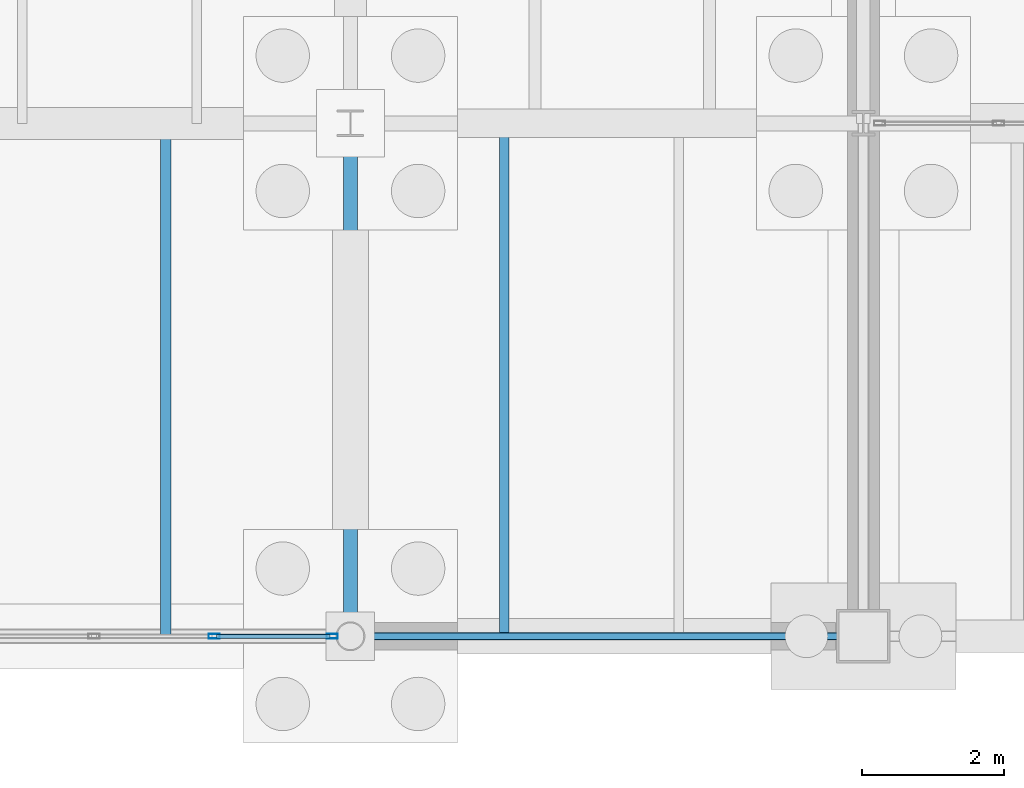
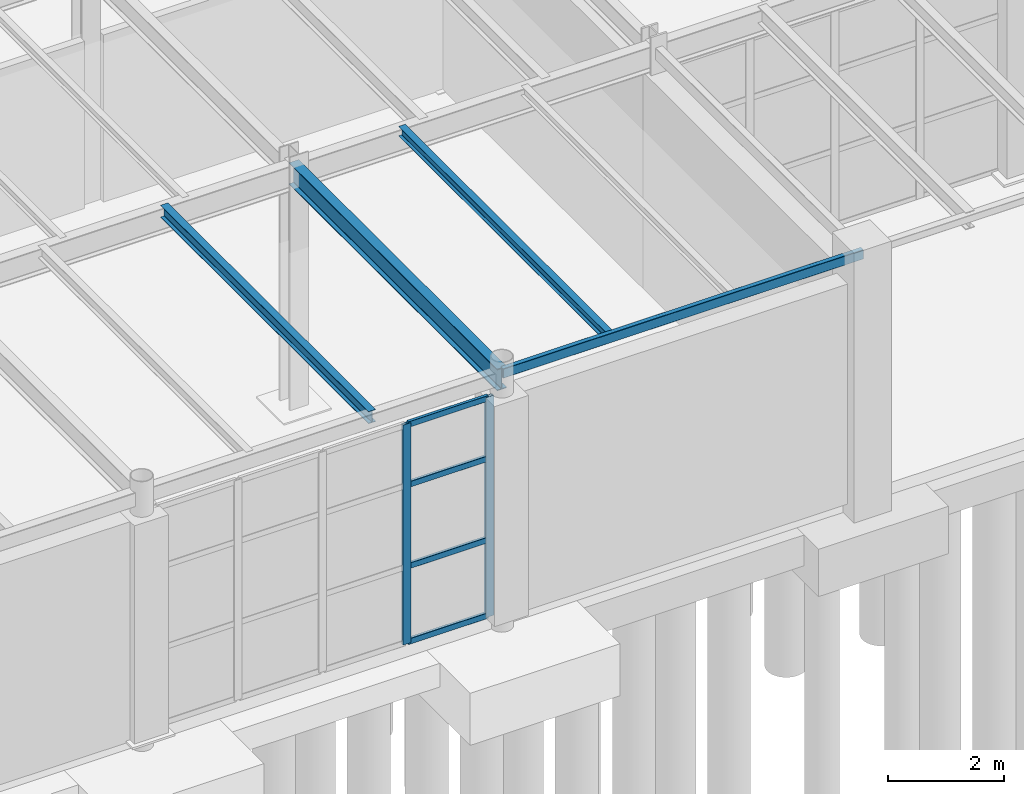
# One storey, part 53 of 293: 6 members, 4 beams, 1 element without a shape of its own.
"""IFC4 building model written with IfcOpenShell, lengths in metres."""

from ifc_helpers import new_model, si_unit, direction, frame, origin, origin_2d, place, context, subcontext, project, spatial, hollow_rectangle, i_section, extrude, material, layer, layer_set, material_profile, profile_set, type_object, element, aggregate, save


model = new_model("IFC4")

# Units and contexts
model_context = context("Model", 3, precision=1e-05, world=origin(), true_north=direction((0.0, 1.0)))
body_context = subcontext(model_context, "Body", "Model", "MODEL_VIEW")
ifc_project = project(units=[si_unit("LENGTHUNIT", "METRE"), si_unit("AREAUNIT", "SQUARE_METRE"), si_unit("VOLUMEUNIT", "CUBIC_METRE"), si_unit("PLANEANGLEUNIT", "RADIAN"), si_unit("MASSUNIT", "GRAM", prefix="KILO")], contexts=[model_context])

# Site, building, storey
site_placement = place(None, origin())
site = spatial("IfcSite", under=ifc_project, at=site_placement, CompositionType="ELEMENT")
building_placement = place(site_placement, origin())
building = spatial("IfcBuilding", under=site, at=building_placement, Name="Kemerveld Promenade Tramway Depot", CompositionType="ELEMENT")
storey_placement = place(building_placement, origin())
storey = spatial("IfcBuildingStorey", under=building, at=storey_placement, Name="L00", CompositionType="ELEMENT", Elevation=0.0)

# Beams
ifc_material_1 = material(Name="Steel S355", Category="steel")
ifc_material_profile_1 = material_profile(ifc_material_1, i_section(OverallWidth=0.19140625, OverallDepth=0.4599609375, WebThickness=0.010009765625, FlangeThickness=0.01611328125, FilletRadius=0.01025390625, at=origin_2d()), Name="457x191x82 UB")
ifc_profile_set_1 = profile_set([ifc_material_profile_1], Name="Steel S355")
beam_type_1 = type_object("IfcBeamType", Name="BM-G06", PredefinedType="BEAM", material=ifc_profile_set_1)
beam_1_placement = place(storey_placement, frame((50.39990234375, 0.0, 4.919921875), z_axis=(0.0, 1.0, 0.0), x_axis=(-1.0, 0.0, 0.0)))
element("IfcBeam", 1, at=beam_1_placement, inside=storey, type_object=beam_type_1, Name="BMY-L00-08-A-B", PredefinedType="BEAM", context=body_context, shape_type="SweptSolid", body=[
    extrude(i_section(OverallWidth=0.19140625, OverallDepth=0.4599609375, WebThickness=0.010009765625, FlangeThickness=0.01611328125, FilletRadius=0.01025390625, at=origin_2d()), origin(), (0.0, 0.0, 1.0), 7.199951171875),
])
ifc_material_profile_2 = material_profile(ifc_material_1, i_section(OverallWidth=0.146484375, OverallDepth=0.256103515625, WebThickness=0.00634765625, FlangeThickness=0.010986328125, FilletRadius=0.007568359375, at=origin_2d()), Name="254x146x37 UB")
ifc_profile_set_2 = profile_set([ifc_material_profile_2], Name="Steel S355")
beam_type_2 = type_object("IfcBeamType", Name="BM-J02", PredefinedType="JOIST", material=ifc_profile_set_2)
beam_2_placement = place(storey_placement, frame((47.80810546875, 0.0, 5.02197265625), z_axis=(0.0, 1.0, 0.0), x_axis=(-1.0, 0.0, 0.0)))
element("IfcBeam", 2, at=beam_2_placement, inside=storey, type_object=beam_type_2, Name="JST-L00-07-A-2", PredefinedType="JOIST", context=body_context, shape_type="SweptSolid", body=[
    extrude(i_section(OverallWidth=0.146484375, OverallDepth=0.256103515625, WebThickness=0.00634765625, FlangeThickness=0.010986328125, FilletRadius=0.007568359375, at=origin_2d()), origin(), (0.0, 0.0, 1.0), 7.199951171875),
])
ifc_material_profile_3 = material_profile(ifc_material_1, i_section(OverallWidth=0.13330078125, OverallDepth=0.203125, WebThickness=0.005615234375, FlangeThickness=0.0078125, FilletRadius=0.007568359375, at=origin_2d()), Name="203x133x25 UB")
ifc_profile_set_3 = profile_set([ifc_material_profile_3], Name="Steel S355")
beam_type_3 = type_object("IfcBeamType", Name="BM-J03", PredefinedType="JOIST", material=ifc_profile_set_3)
beam_3_placement = place(storey_placement, frame((52.56005859375, 0.0, 5.04833984375), z_axis=(0.0, 1.0, 0.0), x_axis=(-1.0, 0.0, 0.0)))
element("IfcBeam", 3, at=beam_3_placement, inside=storey, type_object=beam_type_3, Name="JST-L00-08-A-1", PredefinedType="JOIST", context=body_context, shape_type="SweptSolid", body=[
    extrude(i_section(OverallWidth=0.13330078125, OverallDepth=0.203125, WebThickness=0.005615234375, FlangeThickness=0.0078125, FilletRadius=0.007568359375, at=origin_2d()), origin(), (0.0, 0.0, 1.0), 7.199951171875),
])
ifc_material_profile_4 = material_profile(ifc_material_1, hollow_rectangle(XDim=0.10009765625, YDim=0.199951171875, WallThickness=0.008056640625, InnerFilletRadius=0.00390625, OuterFilletRadius=0.011962890625, at=origin_2d()), Name="200x100x8.0 RHS")
ifc_profile_set_4 = profile_set([ifc_material_profile_4], Name="Steel S355")
beam_type_4 = type_object("IfcBeamType", Name="BM-SP3", PredefinedType="SPANDREL", material=ifc_profile_set_4)
beam_4_placement = place(storey_placement, frame((50.39990234375, 0.0, 5.050048828125), z_axis=(1.0, 0.0, 0.0), x_axis=(0.0, 1.0, 0.0)))
element("IfcBeam", 4, at=beam_4_placement, inside=storey, type_object=beam_type_4, Name="BMX-L00-08-09-A", PredefinedType="SPANDREL", context=body_context, shape_type="SweptSolid", body=[
    extrude(hollow_rectangle(XDim=0.10009765625, YDim=0.199951171875, WallThickness=0.008056640625, InnerFilletRadius=0.00390625, OuterFilletRadius=0.011962890625, at=origin_2d()), origin(), (0.0, 0.0, 1.0), 7.2001953125),
])

# Curtain wall, members
ifc_material_2 = material(Name="Bronze anodised aluminium and solar glass", Category="aluminium")
ifc_layer = layer(ifc_material_2, 0.159912109375)
ifc_layer_set = layer_set([ifc_layer], Name="CW-SYS-05")
curtain_wall_type = type_object("IfcCurtainWallType", Name="CW-SYS-05", PredefinedType="USERDEFINED", material=ifc_layer_set)
curtain_wall_placement = place(storey_placement, origin())
curtain_wall = element("IfcCurtainWall", 5, at=curtain_wall_placement, inside=storey, type_object=curtain_wall_type, Name="CW-L00-V5S-02", ObjectType="GLAZED_CURTAIN_WALL", PredefinedType="USERDEFINED")
ifc_material_3 = material(Name="Bronze anodised aluminium", Category="aluminium")
ifc_material_profile_5 = material_profile(ifc_material_3, hollow_rectangle(XDim=0.06494140625, YDim=0.159912109375, WallThickness=0.00390625, InnerFilletRadius=0.001953125, OuterFilletRadius=0.00390625, at=origin_2d()), Name="CW-MUL-160x65")
ifc_profile_set_5 = profile_set([ifc_material_profile_5], Name="Bronze anodised aluminium")
member_type_1 = type_object("IfcMemberType", Name="CW-MUL-A", PredefinedType="MULLION", material=ifc_profile_set_5)
member_1_placement = place(storey_placement, frame((50.144287109375, 0.0, 0.0), z_axis=(0.0, 0.0, 1.0), x_axis=(0.0, -1.0, 0.0)))
member_1 = element("IfcMember", 6, at=member_1_placement, type_object=member_type_1, Name="CW05 mullion 1", PredefinedType="MULLION", context=body_context, shape_type="SweptSolid", body=[
    extrude(hollow_rectangle(XDim=0.06494140625, YDim=0.159912109375, WallThickness=0.00390625, InnerFilletRadius=0.001953125, OuterFilletRadius=0.00390625, at=origin_2d()), origin(), (0.0, 0.0, 1.0), 4.64990234375),
])
member_2_placement = place(storey_placement, frame((48.48828125, 0.0, 0.0), z_axis=(0.0, 0.0, 1.0), x_axis=(0.0, -1.0, 0.0)))
member_2 = element("IfcMember", 7, at=member_2_placement, type_object=member_type_1, Name="CW05 mullion 2", PredefinedType="MULLION", context=body_context, shape_type="SweptSolid", body=[
    extrude(hollow_rectangle(XDim=0.06494140625, YDim=0.159912109375, WallThickness=0.00390625, InnerFilletRadius=0.001953125, OuterFilletRadius=0.00390625, at=origin_2d()), origin(), (0.0, 0.0, 1.0), 4.64990234375),
])
ifc_material_profile_6 = material_profile(ifc_material_3, hollow_rectangle(XDim=0.06005859375, YDim=0.1201171875, WallThickness=0.00390625, InnerFilletRadius=0.001953125, OuterFilletRadius=0.00390625, at=origin_2d()), Name="CW-TRN-120x60")
ifc_profile_set_6 = profile_set([ifc_material_profile_6], Name="Bronze anodised aluminium")
member_type_2 = type_object("IfcMemberType", Name="CW-TRN-A", PredefinedType="USERDEFINED", material=ifc_profile_set_6)
member_3_placement = place(storey_placement, frame((50.11181640625, 0.0, 0.030029296875), z_axis=(-1.0, 0.0, 0.0), x_axis=(0.0, -1.0, 0.0)))
member_3 = element("IfcMember", 8, at=member_3_placement, type_object=member_type_2, Name="CW05 transom 1.1", ObjectType="TRANSOM", PredefinedType="USERDEFINED", context=body_context, shape_type="SweptSolid", body=[
    extrude(hollow_rectangle(XDim=0.06005859375, YDim=0.1201171875, WallThickness=0.00390625, InnerFilletRadius=0.001953125, OuterFilletRadius=0.00390625, at=origin_2d()), origin(), (0.0, 0.0, 1.0), 1.5908203125),
])
member_4_placement = place(storey_placement, frame((50.11181640625, 0.0, 1.626953125), z_axis=(-1.0, 0.0, 0.0), x_axis=(0.0, -1.0, 0.0)))
member_4 = element("IfcMember", 9, at=member_4_placement, type_object=member_type_2, Name="CW05 transom 1.2", ObjectType="TRANSOM", PredefinedType="USERDEFINED", context=body_context, shape_type="SweptSolid", body=[
    extrude(hollow_rectangle(XDim=0.06005859375, YDim=0.1201171875, WallThickness=0.00390625, InnerFilletRadius=0.001953125, OuterFilletRadius=0.00390625, at=origin_2d()), origin(), (0.0, 0.0, 1.0), 1.5908203125),
])
member_5_placement = place(storey_placement, frame((50.11181640625, 0.0, 3.347900390625), z_axis=(-1.0, 0.0, 0.0), x_axis=(0.0, -1.0, 0.0)))
member_5 = element("IfcMember", 10, at=member_5_placement, type_object=member_type_2, Name="CW05 transom 1.3", ObjectType="TRANSOM", PredefinedType="USERDEFINED", context=body_context, shape_type="SweptSolid", body=[
    extrude(hollow_rectangle(XDim=0.06005859375, YDim=0.1201171875, WallThickness=0.00390625, InnerFilletRadius=0.001953125, OuterFilletRadius=0.00390625, at=origin_2d()), origin(), (0.0, 0.0, 1.0), 1.5908203125),
])
member_6_placement = place(storey_placement, frame((50.11181640625, 0.0, 4.6201171875), z_axis=(-1.0, 0.0, 0.0), x_axis=(0.0, -1.0, 0.0)))
member_6 = element("IfcMember", 11, at=member_6_placement, type_object=member_type_2, Name="CW05 transom 1.4", ObjectType="TRANSOM", PredefinedType="USERDEFINED", context=body_context, shape_type="SweptSolid", body=[
    extrude(hollow_rectangle(XDim=0.06005859375, YDim=0.1201171875, WallThickness=0.00390625, InnerFilletRadius=0.001953125, OuterFilletRadius=0.00390625, at=origin_2d()), origin(), (0.0, 0.0, 1.0), 1.5908203125),
])
aggregate(curtain_wall, [member_1, member_2, member_3, member_4, member_5, member_6])

save(model, "model.ifc")
